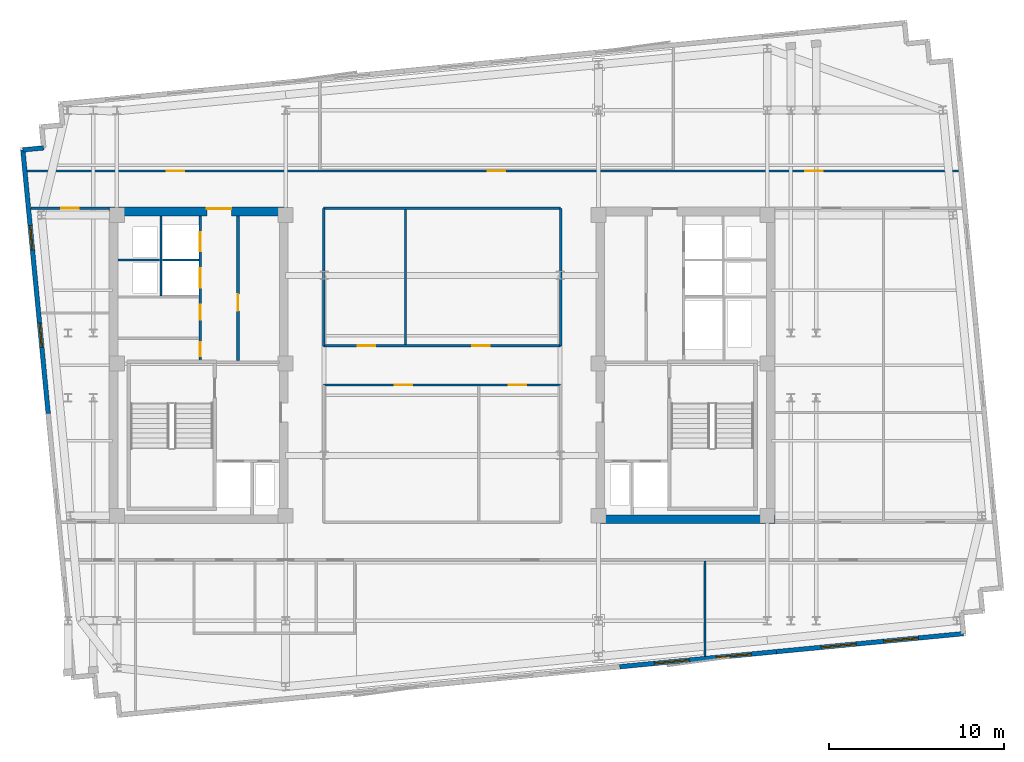
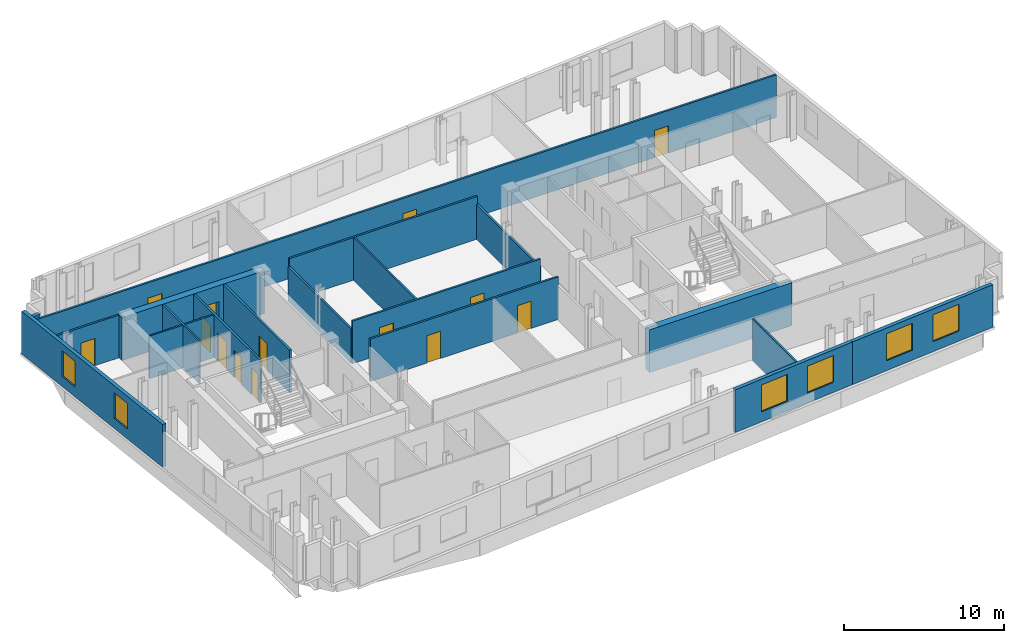
# One storey, part 4 of 8: 20 walls, 14 doors, 6 windows, 20 openings.
"""IFC4 building model written with IfcOpenShell, lengths in metres."""

from ifc_helpers import new_model, si_unit, direction, frame, frame_2d, origin, place, context, subcontext, project, spatial, rectangle, extrude, material, layer, layer_set, type_object, element, fill, save


model = new_model("IFC4")

# Units and contexts
model_context = context("Model", 3, precision=1e-05, world=origin(), true_north=direction((0.0, 1.0)))
body_context = subcontext(model_context, "Body", "Model", "MODEL_VIEW")
ifc_project = project(units=[si_unit("LENGTHUNIT", "METRE"), si_unit("AREAUNIT", "SQUARE_METRE"), si_unit("VOLUMEUNIT", "CUBIC_METRE"), si_unit("PLANEANGLEUNIT", "RADIAN"), si_unit("MASSUNIT", "GRAM", prefix="KILO")], contexts=[model_context])

# Site, building, storey
site_placement = place(None, origin())
site = spatial("IfcSite", under=ifc_project, at=site_placement, CompositionType="ELEMENT")
building_placement = place(site_placement, origin())
building = spatial("IfcBuilding", under=site, at=building_placement, Name="Velakula Bourse", CompositionType="ELEMENT")
storey_placement = place(building_placement, frame((0.0, 0.0, 251.699951171875)))
storey = spatial("IfcBuildingStorey", under=building, at=storey_placement, Name="L68", CompositionType="ELEMENT", Elevation=251.699951171875)

# Wall, opening, door
ifc_material_1 = material(Name="Concrete M50 (fck 50 MPa)", Category="concrete")
ifc_layer_1 = layer(ifc_material_1, 0.5, Name="Concrete M50 (fck 50 MPa)", Category="concrete")
ifc_layer_set_1 = layer_set([ifc_layer_1], Name="Concrete M50 (fck 50 MPa)")
wall_type_1 = type_object("IfcWallType", Name="WL-CORE-500", PredefinedType="SHEAR", material=ifc_layer_set_1)
wall_1_placement = place(storey_placement, frame((-19.050048828125, 8.800048828125, 0.0), z_axis=(0.0, 0.0, 1.0), x_axis=(1.0, 0.0, 0.0)))
wall_1 = element("IfcWall", 1, at=wall_1_placement, inside=storey, type_object=wall_type_1, Name="L68 Core W Shear Wall N", PredefinedType="SHEAR", context=body_context, shape_type="SweptSolid", body=[
    extrude(rectangle(XDim=10.25, YDim=0.5, at=frame_2d((5.125, 0.0))), origin(), (0.0, 0.0, 1.0), 3.27001953125),
])
opening_1_placement = place(wall_1_placement, frame((5.60009765625, 0.0, 0.0)))
opening_1 = element("IfcOpeningElement", 2, at=opening_1_placement, cuts=wall_1, Name="Opening D-LLW", PredefinedType="OPENING", context=body_context, shape_type="SweptSolid", body=[
    extrude(rectangle(XDim=1.39990234375, YDim=2.050048828125, at=frame_2d((0.699951171875, 1.02490234375))), frame((0.0, 0.260009765625, 0.0), z_axis=(0.0, -1.0, 0.0), x_axis=(1.0, 0.0, 0.0)), (0.0, 0.0, 1.0), 0.52001953125),
])
ifc_material_2 = material(Name="Fire-rated hardwood flush architectural door", Category="wood")
door_type_1 = type_object("IfcDoorType", Name="DR-DBL-FD60-1400", OperationType="DOUBLE_DOOR_SINGLE_SWING", PredefinedType="DOOR", material=ifc_material_2)
door_1_placement = place(opening_1_placement, origin())
door_1 = element("IfcDoor", 3, at=door_1_placement, inside=storey, type_object=door_type_1, Name="L68 Core W Lift Lobby Corridor Double Door", OperationType="DOUBLE_DOOR_SINGLE_SWING", OverallHeight=2.050048828125, OverallWidth=1.39990234375, PredefinedType="DOOR", context=body_context, shape_type="SweptSolid", body=[
    extrude(rectangle(XDim=1.39990234375, YDim=2.050048828125, at=frame_2d((0.699951171875, 1.02490234375))), frame((0.0, 0.19482421875, 0.0), z_axis=(0.0, -1.0, 0.0), x_axis=(1.0, 0.0, 0.0)), (0.0, 0.0, 1.0), 0.050048828125),
])
fill(opening_1, door_1)

# Wall
wall_2_placement = place(storey_placement, frame((8.800048828125, -8.800048828125, 0.0), z_axis=(0.0, 0.0, 1.0), x_axis=(1.0, 0.0, 0.0)))
element("IfcWall", 4, at=wall_2_placement, inside=storey, type_object=wall_type_1, Name="L68 Core E Shear Wall S", PredefinedType="SHEAR", context=body_context, shape_type="SweptSolid", body=[
    extrude(rectangle(XDim=10.25, YDim=0.5, at=frame_2d((5.125, 0.0))), origin(), (0.0, 0.0, 1.0), 3.27001953125),
])

# Wall, openings, windows
ifc_material_3 = material(Name="Buff kilned clay facing brick masonry", Category="masonry")
ifc_layer_2 = layer(ifc_material_3, 0.260009765625, Name="Buff kilned clay facing brick masonry", Category="masonry")
ifc_layer_set_2 = layer_set([ifc_layer_2], Name="Buff kilned clay facing brick masonry")
wall_type_2 = type_object("IfcWallType", Name="WL-EXT-BRK-260", PredefinedType="STANDARD", material=ifc_layer_set_2)
wall_3_placement = place(storey_placement, frame((19.119873046875, -16.375244140625, 0.0), z_axis=(0.0, 0.0, 1.0), x_axis=(-0.995396794462, -0.09583956164, 0.0)))
wall_3 = element("IfcWall", 5, at=wall_3_placement, inside=storey, type_object=wall_type_2, Name="L68 S Brick Spandrel Wall B4", PredefinedType="STANDARD", context=body_context, shape_type="SweptSolid", body=[
    extrude(rectangle(XDim=9.0, YDim=0.260009765625, at=frame_2d((4.5, 0.0))), origin(), (0.0, 0.0, 1.0), 3.25),
])
opening_2_placement = place(wall_3_placement, frame((1.449951171875, 0.0, 0.760009765625)))
opening_2 = element("IfcOpeningElement", 6, at=opening_2_placement, cuts=wall_3, Name="Opening W-05", PredefinedType="OPENING", context=body_context, shape_type="SweptSolid", body=[
    extrude(rectangle(XDim=2.0, YDim=2.050048828125, at=frame_2d((1.0, 1.02490234375))), frame((0.0, 0.139892578125, 0.0), z_axis=(0.0, -1.0, 0.0), x_axis=(1.0, 0.0, 0.0)), (0.0, 0.0, 1.0), 0.280029296875),
])
opening_3_placement = place(wall_3_placement, frame((5.0, 0.0, 0.760009765625)))
opening_3 = element("IfcOpeningElement", 7, at=opening_3_placement, cuts=wall_3, Name="Opening W-05", PredefinedType="OPENING", context=body_context, shape_type="SweptSolid", body=[
    extrude(rectangle(XDim=2.0, YDim=2.050048828125, at=frame_2d((1.0, 1.02490234375))), frame((0.0, 0.139892578125, 0.0), z_axis=(0.0, -1.0, 0.0), x_axis=(1.0, 0.0, 0.0)), (0.0, 0.0, 1.0), 0.280029296875),
])
ifc_material_4 = material(Name="Double-glazed solar-control Low-E glass", Category="glass")
window_type_1 = type_object("IfcWindowType", Name="WIN-TWR-2000x2200", PartitioningType="DOUBLE_PANEL_VERTICAL", PredefinedType="WINDOW", material=ifc_material_4)
window_1_placement = place(opening_2_placement, origin())
window_1 = element("IfcWindow", 8, at=window_1_placement, inside=storey, type_object=window_type_1, Name="L68 Deep-Set Recessed Window 1", OverallHeight=2.050048828125, OverallWidth=2.0, PartitioningType="DOUBLE_PANEL_VERTICAL", PredefinedType="WINDOW", context=body_context, shape_type="SweptSolid", body=[
    extrude(rectangle(XDim=2.0, YDim=2.050048828125, at=frame_2d((1.0, 1.02490234375))), frame((0.0, 0.030029296875, 0.0), z_axis=(0.0, -1.0, 0.0), x_axis=(1.0, 0.0, 0.0)), (0.0, 0.0, 1.0), 0.06005859375),
])
fill(opening_2, window_1)
window_2_placement = place(opening_3_placement, origin())
window_2 = element("IfcWindow", 9, at=window_2_placement, inside=storey, type_object=window_type_1, Name="L68 Deep-Set Recessed Window 2", OverallHeight=2.050048828125, OverallWidth=2.0, PartitioningType="DOUBLE_PANEL_VERTICAL", PredefinedType="WINDOW", context=body_context, shape_type="SweptSolid", body=[
    extrude(rectangle(XDim=2.0, YDim=2.050048828125, at=frame_2d((1.0, 1.02490234375))), frame((0.0, 0.030029296875, 0.0), z_axis=(0.0, -1.0, 0.0), x_axis=(1.0, 0.0, 0.0)), (0.0, 0.0, 1.0), 0.06005859375),
])
fill(opening_3, window_2)

wall_4_placement = place(storey_placement, frame((29.820556640625, -15.344970703125, 0.0), z_axis=(0.0, 0.0, 1.0), x_axis=(-0.995396954468, -0.095837899791, 0.0)))
wall_4 = element("IfcWall", 10, at=wall_4_placement, inside=storey, type_object=wall_type_2, Name="L68 S Brick Spandrel Wall B5", PredefinedType="STANDARD", context=body_context, shape_type="SweptSolid", body=[
    extrude(rectangle(XDim=10.750244140625, YDim=0.260009765625, at=frame_2d((5.375, 0.0))), origin(), (0.0, 0.0, 1.0), 3.25),
])
opening_4_placement = place(wall_4_placement, frame((2.583251953125, 0.0, 0.760009765625)))
opening_4 = element("IfcOpeningElement", 11, at=opening_4_placement, cuts=wall_4, Name="Opening W-05", PredefinedType="OPENING", context=body_context, shape_type="SweptSolid", body=[
    extrude(rectangle(XDim=2.0, YDim=2.050048828125, at=frame_2d((1.0, 1.02490234375))), frame((0.0, 0.139892578125, 0.0), z_axis=(0.0, -1.0, 0.0), x_axis=(1.0, 0.0, 0.0)), (0.0, 0.0, 1.0), 0.280029296875),
])
opening_5_placement = place(wall_4_placement, frame((6.166748046875, 0.0, 0.760009765625)))
opening_5 = element("IfcOpeningElement", 12, at=opening_5_placement, cuts=wall_4, Name="Opening W-05", PredefinedType="OPENING", context=body_context, shape_type="SweptSolid", body=[
    extrude(rectangle(XDim=2.0, YDim=2.050048828125, at=frame_2d((1.0, 1.02490234375))), frame((0.0, 0.139892578125, 0.0), z_axis=(0.0, -1.0, 0.0), x_axis=(1.0, 0.0, 0.0)), (0.0, 0.0, 1.0), 0.280029296875),
])
window_3_placement = place(opening_4_placement, origin())
window_3 = element("IfcWindow", 13, at=window_3_placement, inside=storey, type_object=window_type_1, Name="L68 Deep-Set Recessed Window 1", OverallHeight=2.050048828125, OverallWidth=2.0, PartitioningType="DOUBLE_PANEL_VERTICAL", PredefinedType="WINDOW", context=body_context, shape_type="SweptSolid", body=[
    extrude(rectangle(XDim=2.0, YDim=2.050048828125, at=frame_2d((1.0, 1.02490234375))), frame((0.0, 0.030029296875, 0.0), z_axis=(0.0, -1.0, 0.0), x_axis=(1.0, 0.0, 0.0)), (0.0, 0.0, 1.0), 0.06005859375),
])
fill(opening_4, window_3)
window_4_placement = place(opening_5_placement, origin())
window_4 = element("IfcWindow", 14, at=window_4_placement, inside=storey, type_object=window_type_1, Name="L68 Deep-Set Recessed Window 2", OverallHeight=2.050048828125, OverallWidth=2.0, PartitioningType="DOUBLE_PANEL_VERTICAL", PredefinedType="WINDOW", context=body_context, shape_type="SweptSolid", body=[
    extrude(rectangle(XDim=2.0, YDim=2.050048828125, at=frame_2d((1.0, 1.02490234375))), frame((0.0, 0.030029296875, 0.0), z_axis=(0.0, -1.0, 0.0), x_axis=(1.0, 0.0, 0.0)), (0.0, 0.0, 1.0), 0.06005859375),
])
fill(opening_5, window_4)

wall_5_placement = place(storey_placement, frame((-22.52734375, -2.75439453125, 0.0), z_axis=(0.0, 0.0, 1.0), x_axis=(-0.095850890337, 0.995395703638, 0.0)))
wall_5 = element("IfcWall", 15, at=wall_5_placement, inside=storey, type_object=wall_type_2, Name="L68 W Brick End Wall W2", PredefinedType="STANDARD", context=body_context, shape_type="SweptSolid", body=[
    extrude(rectangle(XDim=15.150146484375, YDim=0.260009765625, at=frame_2d((7.5751953125, 0.0))), origin(), (0.0, 0.0, 1.0), 3.25),
])
opening_6_placement = place(wall_5_placement, frame((3.800048828125, 0.0, 0.760009765625)))
opening_6 = element("IfcOpeningElement", 16, at=opening_6_placement, cuts=wall_5, Name="Opening W-03", PredefinedType="OPENING", context=body_context, shape_type="SweptSolid", body=[
    extrude(rectangle(XDim=1.39990234375, YDim=1.949951171875, at=frame_2d((0.699951171875, 0.97509765625))), frame((0.0, 0.139892578125, 0.0), z_axis=(0.0, -1.0, 0.0), x_axis=(1.0, 0.0, 0.0)), (0.0, 0.0, 1.0), 0.280029296875),
])
opening_7_placement = place(wall_5_placement, frame((9.39990234375, 0.0, 0.760009765625)))
opening_7 = element("IfcOpeningElement", 17, at=opening_7_placement, cuts=wall_5, Name="Opening W-03", PredefinedType="OPENING", context=body_context, shape_type="SweptSolid", body=[
    extrude(rectangle(XDim=1.39990234375, YDim=1.949951171875, at=frame_2d((0.699951171875, 0.97509765625))), frame((0.0, 0.139892578125, 0.0), z_axis=(0.0, -1.0, 0.0), x_axis=(1.0, 0.0, 0.0)), (0.0, 0.0, 1.0), 0.280029296875),
])
window_type_2 = type_object("IfcWindowType", Name="WIN-TWR-1400x2100", PartitioningType="SINGLE_PANEL", PredefinedType="WINDOW", material=ifc_material_4)
window_5_placement = place(opening_6_placement, origin())
window_5 = element("IfcWindow", 18, at=window_5_placement, inside=storey, type_object=window_type_2, Name="L68 Deep-Set Recessed Window 1", OverallHeight=1.949951171875, OverallWidth=1.39990234375, PartitioningType="SINGLE_PANEL", PredefinedType="WINDOW", context=body_context, shape_type="SweptSolid", body=[
    extrude(rectangle(XDim=1.39990234375, YDim=1.949951171875, at=frame_2d((0.699951171875, 0.97509765625))), frame((0.0, 0.030029296875, 0.0), z_axis=(0.0, -1.0, 0.0), x_axis=(1.0, 0.0, 0.0)), (0.0, 0.0, 1.0), 0.06005859375),
])
fill(opening_6, window_5)
window_6_placement = place(opening_7_placement, origin())
window_6 = element("IfcWindow", 19, at=window_6_placement, inside=storey, type_object=window_type_2, Name="L68 Deep-Set Recessed Window 2", OverallHeight=1.949951171875, OverallWidth=1.39990234375, PartitioningType="SINGLE_PANEL", PredefinedType="WINDOW", context=body_context, shape_type="SweptSolid", body=[
    extrude(rectangle(XDim=1.39990234375, YDim=1.949951171875, at=frame_2d((0.699951171875, 0.97509765625))), frame((0.0, 0.030029296875, 0.0), z_axis=(0.0, -1.0, 0.0), x_axis=(1.0, 0.0, 0.0)), (0.0, 0.0, 1.0), 0.06005859375),
])
fill(opening_7, window_6)

# Walls
wall_6_placement = place(storey_placement, frame((-22.784912109375, 12.44091796875, 0.0), z_axis=(0.0, 0.0, 1.0), x_axis=(-0.995398960025, -0.095817067274, 0.0)))
element("IfcWall", 20, at=wall_6_placement, inside=storey, type_object=wall_type_2, Name="L68 Serrated Corner Brick Wall NW-4", PredefinedType="STANDARD", context=body_context, shape_type="SweptSolid", body=[
    extrude(rectangle(XDim=1.2001953125, YDim=0.260009765625, at=frame_2d((0.60009765625, 0.0))), origin(), (0.0, 0.0, 1.0), 2.56494140625),
])
ifc_material_5 = material(Name="Fire-rated double-layer gypsum drywall partition", Category="gypsum")
ifc_layer_3 = layer(ifc_material_5, 0.1201171875, Name="Fire-rated double-layer gypsum drywall partition", Category="gypsum")
ifc_layer_set_3 = layer_set([ifc_layer_3], Name="Fire-rated double-layer gypsum drywall partition")
wall_type_3 = type_object("IfcWallType", Name="WL-PART-120", PredefinedType="STANDARD", material=ifc_layer_set_3)
wall_7_placement = place(storey_placement, frame((-18.550048828125, 6.030029296875, 0.0), z_axis=(0.0, 0.0, 1.0), x_axis=(1.0, 0.0, 0.0)))
element("IfcWall", 21, at=wall_7_placement, inside=storey, type_object=wall_type_3, Name="L68 Interior Partition WL-CRW-L68-RIS-MID", PredefinedType="STANDARD", context=body_context, shape_type="SweptSolid", body=[
    extrude(rectangle(XDim=2.400146484375, YDim=0.1201171875, at=frame_2d((1.2001953125, 0.0))), origin(), (0.0, 0.0, 1.0), 3.25),
])
wall_8_placement = place(storey_placement, frame((-16.074951171875, 3.97998046875, 0.0), z_axis=(0.0, 0.0, 1.0), x_axis=(0.0, 1.0, 0.0)))
element("IfcWall", 22, at=wall_8_placement, inside=storey, type_object=wall_type_3, Name="L68 Interior Partition WL-CRW-L68-RIS-F", PredefinedType="STANDARD", context=body_context, shape_type="SweptSolid", body=[
    extrude(rectangle(XDim=4.570068359375, YDim=0.1201171875, at=frame_2d((2.28515625, 0.0))), origin(), (0.0, 0.0, 1.0), 3.25),
])
wall_9_placement = place(storey_placement, frame((-16.0, 6.030029296875, 0.0), z_axis=(0.0, 0.0, 1.0), x_axis=(1.0, 0.0, 0.0)))
element("IfcWall", 23, at=wall_9_placement, inside=storey, type_object=wall_type_3, Name="L68 Interior Partition WL-CRW-L68-HI-DIV", PredefinedType="STANDARD", context=body_context, shape_type="SweptSolid", body=[
    extrude(rectangle(XDim=2.10009765625, YDim=0.1201171875, at=frame_2d((1.050048828125, 0.0))), origin(), (0.0, 0.0, 1.0), 3.25),
])
wall_10_placement = place(storey_placement, frame((15.041015625, -16.637451171875, 0.0), z_axis=(0.0, 0.0, 1.0), x_axis=(0.0, 1.0, 0.0)))
element("IfcWall", 24, at=wall_10_placement, inside=storey, type_object=wall_type_3, Name="L68 Interior Partition WL-INT-L68-SR-D6", PredefinedType="STANDARD", context=body_context, shape_type="SweptSolid", body=[
    extrude(rectangle(XDim=5.447509765625, YDim=0.1201171875, at=frame_2d((2.7236328125, 0.0))), origin(), (0.0, 0.0, 1.0), 3.25),
])

# Wall, openings, doors
ifc_layer_4 = layer(ifc_material_5, 0.139892578125, Name="Fire-rated double-layer gypsum drywall partition", Category="gypsum")
ifc_layer_set_4 = layer_set([ifc_layer_4], Name="Fire-rated double-layer gypsum drywall partition")
wall_type_4 = type_object("IfcWallType", Name="WL-PART-140", PredefinedType="STANDARD", material=ifc_layer_set_4)
wall_11_placement = place(storey_placement, frame((-23.732666015625, 11.1201171875, 0.0), z_axis=(0.0, 0.0, 1.0), x_axis=(1.0, 0.0, 0.0)))
wall_11 = element("IfcWall", 25, at=wall_11_placement, inside=storey, type_object=wall_type_4, Name="L68 Interior Partition WL-INT-L68-N-CORR", PredefinedType="STANDARD", context=body_context, shape_type="SweptSolid", body=[
    extrude(rectangle(XDim=53.285400390625, YDim=0.139892578125, at=frame_2d((26.642578125, 0.0))), origin(), (0.0, 0.0, 1.0), 3.25),
])
opening_8_placement = place(wall_11_placement, frame((7.994384765625, 0.0, 0.0)))
opening_8 = element("IfcOpeningElement", 26, at=opening_8_placement, cuts=wall_11, Name="Opening D-OF1", PredefinedType="OPENING", context=body_context, shape_type="SweptSolid", body=[
    extrude(rectangle(XDim=1.0, YDim=2.080078125, at=frame_2d((0.5, 1.0400390625))), frame((0.0, 0.079833984375, 0.0), z_axis=(0.0, -1.0, 0.0), x_axis=(1.0, 0.0, 0.0)), (0.0, 0.0, 1.0), 0.159912109375),
])
opening_9_placement = place(wall_11_placement, frame((26.355712890625, 0.0, 0.0)))
opening_9 = element("IfcOpeningElement", 27, at=opening_9_placement, cuts=wall_11, Name="Opening D-OF1", PredefinedType="OPENING", context=body_context, shape_type="SweptSolid", body=[
    extrude(rectangle(XDim=1.0, YDim=2.080078125, at=frame_2d((0.5, 1.0400390625))), frame((0.0, 0.079833984375, 0.0), z_axis=(0.0, -1.0, 0.0), x_axis=(1.0, 0.0, 0.0)), (0.0, 0.0, 1.0), 0.159912109375),
])
opening_10_placement = place(wall_11_placement, frame((44.50390625, 0.0, 0.0)))
opening_10 = element("IfcOpeningElement", 28, at=opening_10_placement, cuts=wall_11, Name="Opening D-OF1", PredefinedType="OPENING", context=body_context, shape_type="SweptSolid", body=[
    extrude(rectangle(XDim=1.0, YDim=2.080078125, at=frame_2d((0.5, 1.0400390625))), frame((0.0, 0.079833984375, 0.0), z_axis=(0.0, -1.0, 0.0), x_axis=(1.0, 0.0, 0.0)), (0.0, 0.0, 1.0), 0.159912109375),
])
door_type_2 = type_object("IfcDoorType", Name="DR-OFF-1000", OperationType="NOTDEFINED", PredefinedType="DOOR", material=ifc_material_2)
door_2_placement = place(opening_8_placement, origin())
door_2 = element("IfcDoor", 29, at=door_2_placement, inside=storey, type_object=door_type_2, Name="L68 Commodity Futures Workspace Door", OperationType="SINGLE_SWING_LEFT", OverallHeight=2.080078125, OverallWidth=1.0, PredefinedType="DOOR", context=body_context, shape_type="SweptSolid", body=[
    extrude(rectangle(XDim=1.0, YDim=2.080078125, at=frame_2d((0.5, 1.0400390625))), frame((0.0, 0.02490234375, 0.0), z_axis=(0.0, -1.0, 0.0), x_axis=(1.0, 0.0, 0.0)), (0.0, 0.0, 1.0), 0.050048828125),
])
fill(opening_8, door_2)
door_3_placement = place(opening_9_placement, origin())
door_3 = element("IfcDoor", 30, at=door_3_placement, inside=storey, type_object=door_type_2, Name="L68 Arbitration Conference Room Door", OperationType="SINGLE_SWING_RIGHT", OverallHeight=2.080078125, OverallWidth=1.0, PredefinedType="DOOR", context=body_context, shape_type="SweptSolid", body=[
    extrude(rectangle(XDim=1.0, YDim=2.080078125, at=frame_2d((0.5, 1.0400390625))), frame((0.0, 0.02490234375, 0.0), z_axis=(0.0, -1.0, 0.0), x_axis=(1.0, 0.0, 0.0)), (0.0, 0.0, 1.0), 0.050048828125),
])
fill(opening_9, door_3)
door_4_placement = place(opening_10_placement, origin())
door_4 = element("IfcDoor", 31, at=door_4_placement, inside=storey, type_object=door_type_2, Name="L68 Tea Room Kitchenette Door", OperationType="SINGLE_SWING_LEFT", OverallHeight=2.080078125, OverallWidth=1.0, PredefinedType="DOOR", context=body_context, shape_type="SweptSolid", body=[
    extrude(rectangle(XDim=1.0, YDim=2.080078125, at=frame_2d((0.5, 1.0400390625))), frame((0.0, 0.02490234375, 0.0), z_axis=(0.0, -1.0, 0.0), x_axis=(1.0, 0.0, 0.0)), (0.0, 0.0, 1.0), 0.050048828125),
])
fill(opening_10, door_4)

# Wall, opening, door
wall_12_placement = place(storey_placement, frame((-23.526611328125, 8.97998046875, 0.0), z_axis=(0.0, 0.0, 1.0), x_axis=(1.0, 0.0, 0.0)))
wall_12 = element("IfcWall", 32, at=wall_12_placement, inside=storey, type_object=wall_type_4, Name="L68 Interior Partition WL-INT-L68-W-NC", PredefinedType="STANDARD", context=body_context, shape_type="SweptSolid", body=[
    extrude(rectangle(XDim=4.4765625, YDim=0.139892578125, at=frame_2d((2.23828125, 0.0))), origin(), (0.0, 0.0, 1.0), 3.25),
])
opening_11_placement = place(wall_12_placement, frame((1.73828125, 0.0, 0.0)))
opening_11 = element("IfcOpeningElement", 33, at=opening_11_placement, cuts=wall_12, Name="Opening D-OF1", PredefinedType="OPENING", context=body_context, shape_type="SweptSolid", body=[
    extrude(rectangle(XDim=1.0, YDim=2.080078125, at=frame_2d((0.5, 1.0400390625))), frame((0.0, 0.079833984375, 0.0), z_axis=(0.0, -1.0, 0.0), x_axis=(1.0, 0.0, 0.0)), (0.0, 0.0, 1.0), 0.159912109375),
])
door_5_placement = place(opening_11_placement, origin())
door_5 = element("IfcDoor", 34, at=door_5_placement, inside=storey, type_object=door_type_2, Name="L68 Chief Risk Officer Chamber Door", OperationType="SINGLE_SWING_LEFT", OverallHeight=2.080078125, OverallWidth=1.0, PredefinedType="DOOR", context=body_context, shape_type="SweptSolid", body=[
    extrude(rectangle(XDim=1.0, YDim=2.080078125, at=frame_2d((0.5, 1.0400390625))), frame((0.0, 0.02490234375, 0.0), z_axis=(0.0, -1.0, 0.0), x_axis=(1.0, 0.0, 0.0)), (0.0, 0.0, 1.0), 0.050048828125),
])
fill(opening_11, door_5)

# Wall, openings, doors
wall_13_placement = place(storey_placement, frame((-6.780029296875, 1.1201171875, 0.0), z_axis=(0.0, 0.0, 1.0), x_axis=(1.0, 0.0, 0.0)))
wall_13 = element("IfcWall", 35, at=wall_13_placement, inside=storey, type_object=wall_type_4, Name="L68 Interior Partition WL-INT-L68-MN-IN", PredefinedType="STANDARD", context=body_context, shape_type="SweptSolid", body=[
    extrude(rectangle(XDim=13.56005859375, YDim=0.139892578125, at=frame_2d((6.780029296875, 0.0))), origin(), (0.0, 0.0, 1.0), 3.25),
])
opening_12_placement = place(wall_13_placement, frame((1.966064453125, 0.0, 0.0)))
opening_12 = element("IfcOpeningElement", 36, at=opening_12_placement, cuts=wall_13, Name="Opening D-OF1", PredefinedType="OPENING", context=body_context, shape_type="SweptSolid", body=[
    extrude(rectangle(XDim=1.0, YDim=2.080078125, at=frame_2d((0.5, 1.0400390625))), frame((0.0, 0.079833984375, 0.0), z_axis=(0.0, -1.0, 0.0), x_axis=(1.0, 0.0, 0.0)), (0.0, 0.0, 1.0), 0.159912109375),
])
opening_13_placement = place(wall_13_placement, frame((8.493896484375, 0.0, 0.0)))
opening_13 = element("IfcOpeningElement", 37, at=opening_13_placement, cuts=wall_13, Name="Opening D-OF1", PredefinedType="OPENING", context=body_context, shape_type="SweptSolid", body=[
    extrude(rectangle(XDim=1.0, YDim=2.080078125, at=frame_2d((0.5, 1.0400390625))), frame((0.0, 0.079833984375, 0.0), z_axis=(0.0, -1.0, 0.0), x_axis=(1.0, 0.0, 0.0)), (0.0, 0.0, 1.0), 0.159912109375),
])
door_6_placement = place(opening_12_placement, origin())
door_6 = element("IfcDoor", 38, at=door_6_placement, inside=storey, type_object=door_type_2, Name="L68 Legal Counsel Office Door", OperationType="SINGLE_SWING_LEFT", OverallHeight=2.080078125, OverallWidth=1.0, PredefinedType="DOOR", context=body_context, shape_type="SweptSolid", body=[
    extrude(rectangle(XDim=1.0, YDim=2.080078125, at=frame_2d((0.5, 1.0400390625))), frame((0.0, 0.02490234375, 0.0), z_axis=(0.0, -1.0, 0.0), x_axis=(1.0, 0.0, 0.0)), (0.0, 0.0, 1.0), 0.050048828125),
])
fill(opening_12, door_6)
door_7_placement = place(opening_13_placement, origin())
door_7 = element("IfcDoor", 39, at=door_7_placement, inside=storey, type_object=door_type_2, Name="L68 Issuer Relations Office Door", OperationType="SINGLE_SWING_RIGHT", OverallHeight=2.080078125, OverallWidth=1.0, PredefinedType="DOOR", context=body_context, shape_type="SweptSolid", body=[
    extrude(rectangle(XDim=1.0, YDim=2.080078125, at=frame_2d((0.5, 1.0400390625))), frame((0.0, 0.02490234375, 0.0), z_axis=(0.0, -1.0, 0.0), x_axis=(1.0, 0.0, 0.0)), (0.0, 0.0, 1.0), 0.050048828125),
])
fill(opening_13, door_7)

# Walls
wall_14_placement = place(storey_placement, frame((-6.780029296875, 8.97998046875, 0.0), z_axis=(0.0, 0.0, 1.0), x_axis=(1.0, 0.0, 0.0)))
element("IfcWall", 40, at=wall_14_placement, inside=storey, type_object=wall_type_4, Name="L68 Interior Partition WL-INT-L68-MN-OUT", PredefinedType="STANDARD", context=body_context, shape_type="SweptSolid", body=[
    extrude(rectangle(XDim=13.56005859375, YDim=0.139892578125, at=frame_2d((6.780029296875, 0.0))), origin(), (0.0, 0.0, 1.0), 3.25),
])
for number, where, z_axis, x_axis, name in (
    (41, (-6.780029296875, 1.1201171875, 0.0), (0.0, 0.0, 1.0), (0.0, 1.0, 0.0), "L68 Interior Partition WL-INT-L68-MN-W"),
    (42, (6.780029296875, 1.1201171875, 0.0), (0.0, 0.0, 1.0), (0.0, 1.0, 0.0), "L68 Interior Partition WL-INT-L68-MN-E"),
):
    element("IfcWall", number, at=place(storey_placement, frame(where, z_axis=z_axis, x_axis=x_axis)), inside=storey, type_object=wall_type_4, Name=name, PredefinedType="STANDARD", context=body_context, shape_type="SweptSolid", body=[
        extrude(rectangle(XDim=7.85986328125, YDim=0.139892578125, at=frame_2d((3.929931640625, 0.0))), origin(), (0.0, 0.0, 1.0), 2.64501953125),
    ])
wall_15_placement = place(storey_placement, frame((-2.10009765625, 1.18994140625, 0.0), z_axis=(0.0, 0.0, 1.0), x_axis=(0.0, 1.0, 0.0)))
element("IfcWall", 43, at=wall_15_placement, inside=storey, type_object=wall_type_4, Name="L68 Interior Partition WL-INT-L68-MN-V1", PredefinedType="STANDARD", context=body_context, shape_type="SweptSolid", body=[
    extrude(rectangle(XDim=7.719970703125, YDim=0.1201171875, at=frame_2d((3.85986328125, 0.0))), origin(), (0.0, 0.0, 1.0), 3.25),
])

# Wall, openings, doors
wall_16_placement = place(storey_placement, frame((-6.780029296875, -1.1201171875, 0.0), z_axis=(0.0, 0.0, 1.0), x_axis=(1.0, 0.0, 0.0)))
wall_16 = element("IfcWall", 44, at=wall_16_placement, inside=storey, type_object=wall_type_4, Name="L68 Interior Partition WL-INT-L68-MS-IN", PredefinedType="STANDARD", context=body_context, shape_type="SweptSolid", body=[
    extrude(rectangle(XDim=13.56005859375, YDim=0.139892578125, at=frame_2d((6.780029296875, 0.0))), origin(), (0.0, 0.0, 1.0), 3.25),
])
opening_14_placement = place(wall_16_placement, frame((4.06591796875, 0.0, 0.0)))
opening_14 = element("IfcOpeningElement", 45, at=opening_14_placement, cuts=wall_16, Name="Opening D-OF1", PredefinedType="OPENING", context=body_context, shape_type="SweptSolid", body=[
    extrude(rectangle(XDim=1.0, YDim=2.080078125, at=frame_2d((0.5, 1.0400390625))), frame((0.0, 0.079833984375, 0.0), z_axis=(0.0, -1.0, 0.0), x_axis=(1.0, 0.0, 0.0)), (0.0, 0.0, 1.0), 0.159912109375),
])
opening_15_placement = place(wall_16_placement, frame((10.593994140625, 0.0, 0.0)))
opening_15 = element("IfcOpeningElement", 46, at=opening_15_placement, cuts=wall_16, Name="Opening D-OF1", PredefinedType="OPENING", context=body_context, shape_type="SweptSolid", body=[
    extrude(rectangle(XDim=1.0, YDim=2.080078125, at=frame_2d((0.5, 1.0400390625))), frame((0.0, 0.079833984375, 0.0), z_axis=(0.0, -1.0, 0.0), x_axis=(1.0, 0.0, 0.0)), (0.0, 0.0, 1.0), 0.159912109375),
])
door_8_placement = place(opening_14_placement, origin())
door_8 = element("IfcDoor", 47, at=door_8_placement, inside=storey, type_object=door_type_2, Name="L68 Chief Risk Officer Chamber Door", OperationType="SINGLE_SWING_LEFT", OverallHeight=2.080078125, OverallWidth=1.0, PredefinedType="DOOR", context=body_context, shape_type="SweptSolid", body=[
    extrude(rectangle(XDim=1.0, YDim=2.080078125, at=frame_2d((0.5, 1.0400390625))), frame((0.0, 0.02490234375, 0.0), z_axis=(0.0, -1.0, 0.0), x_axis=(1.0, 0.0, 0.0)), (0.0, 0.0, 1.0), 0.050048828125),
])
fill(opening_14, door_8)
door_9_placement = place(opening_15_placement, origin())
door_9 = element("IfcDoor", 48, at=door_9_placement, inside=storey, type_object=door_type_2, Name="L68 Company Secretary Office Door", OperationType="SINGLE_SWING_RIGHT", OverallHeight=2.080078125, OverallWidth=1.0, PredefinedType="DOOR", context=body_context, shape_type="SweptSolid", body=[
    extrude(rectangle(XDim=1.0, YDim=2.080078125, at=frame_2d((0.5, 1.0400390625))), frame((0.0, 0.02490234375, 0.0), z_axis=(0.0, -1.0, 0.0), x_axis=(1.0, 0.0, 0.0)), (0.0, 0.0, 1.0), 0.050048828125),
])
fill(opening_15, door_9)

# Wall, opening, door
ifc_material_6 = material(Name="Autoclaved aerated concrete blockwork masonry", Category="masonry")
ifc_layer_5 = layer(ifc_material_6, 0.14990234375, Name="Autoclaved aerated concrete blockwork masonry", Category="masonry")
ifc_layer_set_5 = layer_set([ifc_layer_5], Name="Autoclaved aerated concrete blockwork masonry")
wall_type_5 = type_object("IfcWallType", Name="WL-SHAFT-150", PredefinedType="STANDARD", material=ifc_layer_set_5)
wall_17_placement = place(storey_placement, frame((-11.675048828125, 0.27001953125, 0.0), z_axis=(0.0, 0.0, 1.0), x_axis=(0.0, 1.0, 0.0)))
wall_17 = element("IfcWall", 49, at=wall_17_placement, inside=storey, type_object=wall_type_5, Name="L68 Interior Partition WL-CRW-L68-BANK-F", PredefinedType="STANDARD", context=body_context, shape_type="SweptSolid", body=[
    extrude(rectangle(XDim=8.280029296875, YDim=0.14990234375, at=frame_2d((4.14013671875, 0.0))), origin(), (0.0, 0.0, 1.0), 3.25),
])
opening_16_placement = place(wall_17_placement, frame((2.85009765625, 0.0, 0.0)))
opening_16 = element("IfcOpeningElement", 50, at=opening_16_placement, cuts=wall_17, Name="Opening D-RC4", PredefinedType="OPENING", context=body_context, shape_type="SweptSolid", body=[
    extrude(rectangle(XDim=0.949951171875, YDim=2.050048828125, at=frame_2d((0.47509765625, 1.02490234375))), frame((0.0, 0.0849609375, 0.0), z_axis=(0.0, -1.0, 0.0), x_axis=(1.0, 0.0, 0.0)), (0.0, 0.0, 1.0), 0.169921875),
])
door_type_3 = type_object("IfcDoorType", Name="DR-FD60-950x2050", OperationType="NOTDEFINED", PredefinedType="DOOR", material=ifc_material_2)
door_10_placement = place(opening_16_placement, origin())
door_10 = element("IfcDoor", 51, at=door_10_placement, inside=storey, type_object=door_type_3, Name="L68 Reclaimed Multi-Bay Archive Room Door", OperationType="SINGLE_SWING_RIGHT", OverallHeight=2.050048828125, OverallWidth=0.949951171875, PredefinedType="DOOR", context=body_context, shape_type="SweptSolid", body=[
    extrude(rectangle(XDim=0.949951171875, YDim=2.050048828125, at=frame_2d((0.47509765625, 1.02490234375))), frame((0.0, 0.02490234375, 0.0), z_axis=(0.0, -1.0, 0.0), x_axis=(1.0, 0.0, 0.0)), (0.0, 0.0, 1.0), 0.050048828125),
])
fill(opening_16, door_10)

# Wall, openings, doors
wall_18_placement = place(storey_placement, frame((-13.824951171875, 0.27001953125, 0.0), z_axis=(0.0, 0.0, 1.0), x_axis=(0.0, 1.0, 0.0)))
wall_18 = element("IfcWall", 52, at=wall_18_placement, inside=storey, type_object=wall_type_5, Name="L68 Interior Partition WL-CRW-L68-OUT-F", PredefinedType="STANDARD", context=body_context, shape_type="SweptSolid", body=[
    extrude(rectangle(XDim=8.280029296875, YDim=0.14990234375, at=frame_2d((4.14013671875, 0.0))), origin(), (0.0, 0.0, 1.0), 3.25),
])
opening_17_placement = place(wall_18_placement, frame((4.175048828125, 0.0, 0.0)))
opening_17 = element("IfcOpeningElement", 53, at=opening_17_placement, cuts=wall_18, Name="Opening LD-P9", PredefinedType="OPENING", context=body_context, shape_type="SweptSolid", body=[
    extrude(rectangle(XDim=1.10009765625, YDim=2.10009765625, at=frame_2d((0.550048828125, 1.050048828125))), frame((0.0, 0.0849609375, 0.0), z_axis=(0.0, -1.0, 0.0), x_axis=(1.0, 0.0, 0.0)), (0.0, 0.0, 1.0), 0.169921875),
])
opening_18_placement = place(wall_18_placement, frame((6.2451171875, 0.0, 0.0)))
opening_18 = element("IfcOpeningElement", 54, at=opening_18_placement, cuts=wall_18, Name="Opening LD-P10", PredefinedType="OPENING", context=body_context, shape_type="SweptSolid", body=[
    extrude(rectangle(XDim=1.10009765625, YDim=2.10009765625, at=frame_2d((0.550048828125, 1.050048828125))), frame((0.0, 0.0849609375, 0.0), z_axis=(0.0, -1.0, 0.0), x_axis=(1.0, 0.0, 0.0)), (0.0, 0.0, 1.0), 0.169921875),
])
opening_19_placement = place(wall_18_placement, frame((0.25, 0.0, 0.0)))
opening_19 = element("IfcOpeningElement", 55, at=opening_19_placement, cuts=wall_18, Name="Opening D-CS1", PredefinedType="OPENING", context=body_context, shape_type="SweptSolid", body=[
    extrude(rectangle(XDim=0.800048828125, YDim=2.050048828125, at=frame_2d((0.39990234375, 1.02490234375))), frame((0.0, 0.0849609375, 0.0), z_axis=(0.0, -1.0, 0.0), x_axis=(1.0, 0.0, 0.0)), (0.0, 0.0, 1.0), 0.169921875),
])
opening_20_placement = place(wall_18_placement, frame((2.35009765625, 0.0, 0.0)))
opening_20 = element("IfcOpeningElement", 56, at=opening_20_placement, cuts=wall_18, Name="Opening D-CW1", PredefinedType="OPENING", context=body_context, shape_type="SweptSolid", body=[
    extrude(rectangle(XDim=0.85009765625, YDim=2.050048828125, at=frame_2d((0.425048828125, 1.02490234375))), frame((0.0, 0.0849609375, 0.0), z_axis=(0.0, -1.0, 0.0), x_axis=(1.0, 0.0, 0.0)), (0.0, 0.0, 1.0), 0.169921875),
])
door_type_4 = type_object("IfcDoorType", Name="DR-INT-850", OperationType="NOTDEFINED", PredefinedType="DOOR", material=ifc_material_2)
door_11_placement = place(opening_20_placement, origin())
door_11 = element("IfcDoor", 57, at=door_11_placement, inside=storey, type_object=door_type_4, Name="L68 Core Janitor Closet Door", OperationType="SINGLE_SWING_RIGHT", OverallHeight=2.050048828125, OverallWidth=0.85009765625, PredefinedType="DOOR", context=body_context, shape_type="SweptSolid", body=[
    extrude(rectangle(XDim=0.85009765625, YDim=2.050048828125, at=frame_2d((0.425048828125, 1.02490234375))), frame((0.0, 0.02490234375, 0.0), z_axis=(0.0, -1.0, 0.0), x_axis=(1.0, 0.0, 0.0)), (0.0, 0.0, 1.0), 0.050048828125),
])
fill(opening_20, door_11)
ifc_material_7 = material(Name="Galvanised painted hollow steel fire door", Category="steel")
door_type_5 = type_object("IfcDoorType", Name="DR-RISER-800x2050", OperationType="NOTDEFINED", PredefinedType="DOOR", material=ifc_material_7)
door_12_placement = place(opening_19_placement, origin())
door_12 = element("IfcDoor", 58, at=door_12_placement, inside=storey, type_object=door_type_5, Name="L68 Core Cleaner Store Door", OperationType="SINGLE_SWING_LEFT", OverallHeight=2.050048828125, OverallWidth=0.800048828125, PredefinedType="DOOR", context=body_context, shape_type="SweptSolid", body=[
    extrude(rectangle(XDim=0.800048828125, YDim=2.050048828125, at=frame_2d((0.39990234375, 1.02490234375))), frame((0.0, 0.02490234375, 0.0), z_axis=(0.0, -1.0, 0.0), x_axis=(1.0, 0.0, 0.0)), (0.0, 0.0, 1.0), 0.050048828125),
])
fill(opening_19, door_12)
ifc_material_8 = material(Name="Brushed grade 316 stainless steel", Category="steel")
door_type_6 = type_object("IfcDoorType", Name="DR-SLIDE-LD-1100", OperationType="DOUBLE_DOOR_SLIDING", PredefinedType="DOOR", material=ifc_material_8)
door_13_placement = place(opening_17_placement, origin())
door_13 = element("IfcDoor", 59, at=door_13_placement, inside=storey, type_object=door_type_6, Name="L68 Passenger Lift P9 Sliding Landing Door", OperationType="DOUBLE_DOOR_SLIDING", OverallHeight=2.10009765625, OverallWidth=1.10009765625, PredefinedType="DOOR", context=body_context, shape_type="SweptSolid", body=[
    extrude(rectangle(XDim=1.10009765625, YDim=2.10009765625, at=frame_2d((0.550048828125, 1.050048828125))), frame((0.0, 0.02490234375, 0.0), z_axis=(0.0, -1.0, 0.0), x_axis=(1.0, 0.0, 0.0)), (0.0, 0.0, 1.0), 0.050048828125),
])
fill(opening_17, door_13)
door_14_placement = place(opening_18_placement, origin())
door_14 = element("IfcDoor", 60, at=door_14_placement, inside=storey, type_object=door_type_6, Name="L68 Passenger Lift P10 Sliding Landing Door", OperationType="DOUBLE_DOOR_SLIDING", OverallHeight=2.10009765625, OverallWidth=1.10009765625, PredefinedType="DOOR", context=body_context, shape_type="SweptSolid", body=[
    extrude(rectangle(XDim=1.10009765625, YDim=2.10009765625, at=frame_2d((0.550048828125, 1.050048828125))), frame((0.0, 0.02490234375, 0.0), z_axis=(0.0, -1.0, 0.0), x_axis=(1.0, 0.0, 0.0)), (0.0, 0.0, 1.0), 0.050048828125),
])
fill(opening_18, door_14)

save(model, "model.ifc")
